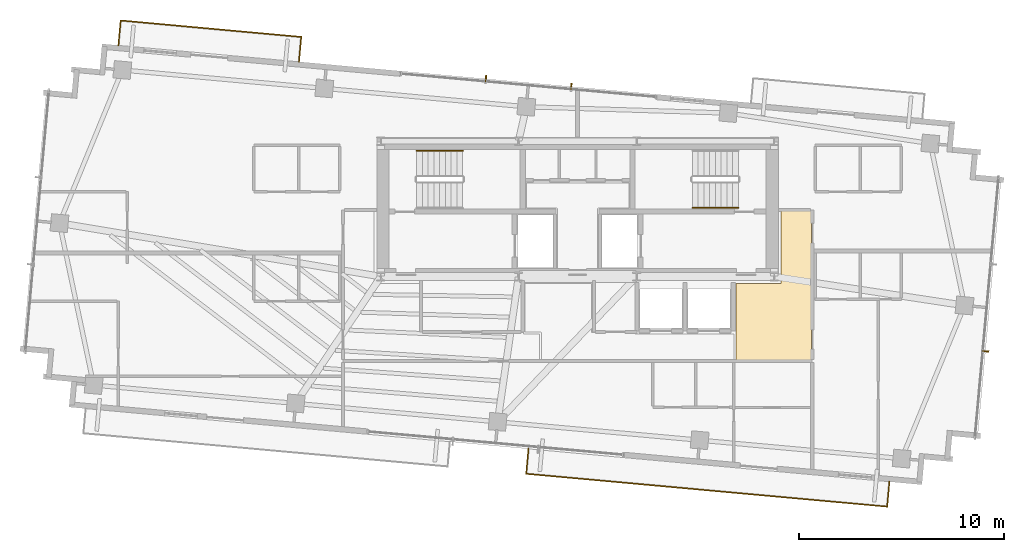
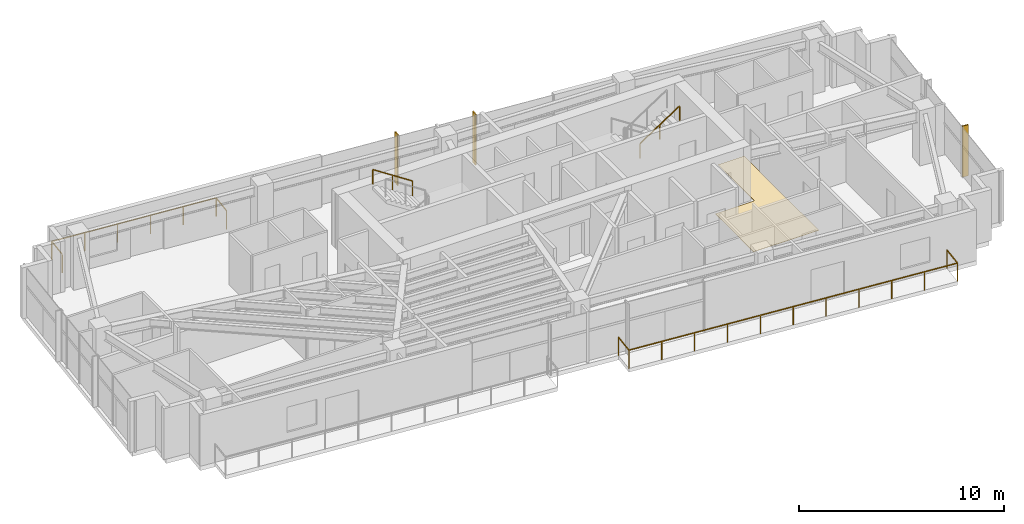
# One storey, part 21 of 22: 4 railings, 3 shading devices, 1 covering.
"""IFC4 building model written with IfcOpenShell, lengths in metres."""

from ifc_helpers import new_model, si_unit, direction, frame, origin, origin_2d, place, context, subcontext, project, spatial, polyline, rectangle, outline, extrude, source, transform, mapped, material, layer, layer_set, type_object, type_shapes, element, save


model = new_model("IFC4")

# Units and contexts
model_context = context("Model", 3, precision=1e-05, world=origin(), true_north=direction((0.0, 1.0)))
body_context = subcontext(model_context, "Body", "Model", "MODEL_VIEW")
ifc_project = project(units=[si_unit("LENGTHUNIT", "METRE"), si_unit("AREAUNIT", "SQUARE_METRE"), si_unit("VOLUMEUNIT", "CUBIC_METRE"), si_unit("PLANEANGLEUNIT", "RADIAN"), si_unit("MASSUNIT", "GRAM", prefix="KILO")], contexts=[model_context])

# Site, building, storey
site_placement = place(None, origin())
site = spatial("IfcSite", under=ifc_project, at=site_placement, CompositionType="ELEMENT")
building_placement = place(site_placement, origin())
building = spatial("IfcBuilding", under=site, at=building_placement, Name="Astriad Promenade Condominiums", CompositionType="ELEMENT")
storey_placement = place(building_placement, frame((0.0, 0.0, 246.300048828125)))
storey = spatial("IfcBuildingStorey", under=building, at=storey_placement, Name="L71", CompositionType="ELEMENT", Elevation=246.300048828125)

# Covering
ifc_material_1 = material(Name="Polished Lakefront Terrazzo Flooring")
ifc_layer = layer(ifc_material_1, 0.02001953125)
ifc_layer_set = layer_set([ifc_layer], Name="Polished Lakefront Terrazzo Flooring")
covering_type = type_object("IfcCoveringType", Name="COV-FLOR-TERRAZZO-20", PredefinedType="FLOORING", material=ifc_layer_set)
covering_placement = place(storey_placement, origin())
element("IfcCovering", 1, at=covering_placement, inside=storey, type_object=covering_type, Name="FLR-L71-COR-2", PredefinedType="FLOORING", context=body_context, shape_type="SweptSolid", body=[
    extrude(outline(polyline([(43.72998046875, 14.62353515625), (43.73095703125, 14.62451171875), (43.7333984375, 14.627685546875), (43.7353515625, 14.631103515625), (43.737060546875, 14.634765625), (43.73828125, 14.638427734375), (43.7392578125, 14.64208984375), (43.73974609375, 14.64599609375), (43.739990234375, 14.64990234375), (43.739990234375, 17.06005859375), (45.89990234375, 17.06005859375), (45.90380859375, 17.060302734375), (45.90771484375, 17.060791015625), (45.91162109375, 17.061767578125), (45.915283203125, 17.06298828125), (45.9189453125, 17.064697265625), (45.922119140625, 17.066650390625), (45.92529296875, 17.069091796875), (45.92822265625, 17.07177734375), (45.930908203125, 17.07470703125), (45.933349609375, 17.077880859375), (45.935302734375, 17.0810546875), (45.93701171875, 17.084716796875), (45.938232421875, 17.08837890625), (45.939208984375, 17.09228515625), (45.939697265625, 17.09619140625), (45.93994140625, 17.10009765625), (45.93994140625, 20.610107421875), (47.409912109375, 20.610107421875), (47.409912109375, 13.320068359375), (43.72998046875, 13.320068359375), (43.72998046875, 14.62353515625)])), origin(), (0.0, 0.0, 1.0), 0.02001953125),
])

# Shading devices
ifc_material_2 = material(Name="Anodised aluminium 6063-T6 Black Fin", Category="aluminium")
shading_device_type = type_object("IfcShadingDeviceType", Name="FIN-BLACK-260", PredefinedType="USERDEFINED", material=ifc_material_2)
shared_shape_1 = source(origin(), body_context, "Body", "SweptSolid", [
    extrude(rectangle(XDim=0.06494140625, YDim=0.320068359375, at=origin_2d()), origin(), (0.0, 0.0, 1.0), 3.0400390625),
])
type_shapes(shading_device_type, [shared_shape_1])
for number, where, z_axis, x_axis, name in (
    (2, (31.526123046875, 27.062744140625, 0.0), (0.0, 0.0, 1.0), (0.995884398616, -0.090632580198, 0.0), "CW-L71-N-FIN-01"),
    (3, (35.68896484375, 26.683837890625, 0.0), (0.0, 0.0, 1.0), (0.995884398616, -0.090632580198, 0.0), "CW-L71-N-FIN-02"),
    (4, (55.920166015625, 13.753662109375, 0.0), (0.0, 0.0, 1.0), (-0.090632580198, -0.995884398616, 0.0), "CW-L71-E-FIN-02"),
):
    element("IfcShadingDevice", number, at=place(storey_placement, frame(where, z_axis=z_axis, x_axis=x_axis)), inside=storey, type_object=shading_device_type, Name=name, ObjectType="FIN", PredefinedType="USERDEFINED", context=body_context, shape_type="MappedRepresentation", body=[
        mapped(shared_shape_1, transform((0.0, 0.0, 0.0), scale=1.0)),
    ])

# Railings
ifc_material_3 = material(Name="Laminated Glass and Stainless Steel Balustrade", Category="steel")
railing_type_1 = type_object("IfcRailingType", Name="GRD-BALC-1120", PredefinedType="BALUSTRADE", material=ifc_material_3)
shared_shape_2 = source(origin(), body_context, "Body", "SweptSolid", [
    extrude(rectangle(XDim=0.048095703125, YDim=0.048095703125, at=origin_2d()), frame((0.0, 0.0, 1.09619140625), z_axis=(-0.090643994769, -0.995883359743, 0.0), x_axis=(0.995883359743, -0.090643994769, 0.0)), (0.0, 0.0, 1.0), 1.22021484375),
    extrude(rectangle(XDim=0.048095703125, YDim=0.048095703125, at=origin_2d()), frame((-0.110595703125, -1.215087890625, 1.09619140625), z_axis=(0.995885283572, -0.090622855645, 0.0), x_axis=(0.090622855645, 0.995885283572, 0.0)), (0.0, 0.0, 1.0), 17.68896484375),
    extrude(rectangle(XDim=0.048095703125, YDim=0.048095703125, at=origin_2d()), frame((17.505615234375, -2.818115234375, 1.09619140625), z_axis=(0.09066206129, 0.995881715186, 0.0), x_axis=(-0.995881715186, 0.09066206129, 0.0)), (0.0, 0.0, 1.0), 1.219970703125),
    extrude(rectangle(XDim=0.0419921875, YDim=0.0419921875, at=origin_2d()), origin(), (0.0, 0.0, 1.0), 1.072021484375),
    extrude(rectangle(XDim=0.0419921875, YDim=0.0419921875, at=origin_2d()), frame((-0.110595703125, -1.215087890625, 0.0)), (0.0, 0.0, 1.0), 1.072021484375),
    extrude(rectangle(XDim=0.0419921875, YDim=0.0419921875, at=origin_2d()), frame((1.651123046875, -1.37548828125, 0.0)), (0.0, 0.0, 1.0), 1.072021484375),
    extrude(rectangle(XDim=0.0419921875, YDim=0.0419921875, at=origin_2d()), frame((3.41259765625, -1.53564453125, 0.0)), (0.0, 0.0, 1.0), 1.072021484375),
    extrude(rectangle(XDim=0.0419921875, YDim=0.0419921875, at=origin_2d()), frame((5.17431640625, -1.696044921875, 0.0)), (0.0, 0.0, 1.0), 1.072021484375),
    extrude(rectangle(XDim=0.0419921875, YDim=0.0419921875, at=origin_2d()), frame((6.935791015625, -1.856201171875, 0.0)), (0.0, 0.0, 1.0), 1.072021484375),
    extrude(rectangle(XDim=0.0419921875, YDim=0.0419921875, at=origin_2d()), frame((8.697509765625, -2.0166015625, 0.0)), (0.0, 0.0, 1.0), 1.072021484375),
    extrude(rectangle(XDim=0.0419921875, YDim=0.0419921875, at=origin_2d()), frame((10.459228515625, -2.177001953125, 0.0)), (0.0, 0.0, 1.0), 1.072021484375),
    extrude(rectangle(XDim=0.0419921875, YDim=0.0419921875, at=origin_2d()), frame((12.220703125, -2.337158203125, 0.0)), (0.0, 0.0, 1.0), 1.072021484375),
    extrude(rectangle(XDim=0.0419921875, YDim=0.0419921875, at=origin_2d()), frame((13.982421875, -2.49755859375, 0.0)), (0.0, 0.0, 1.0), 1.072021484375),
    extrude(rectangle(XDim=0.0419921875, YDim=0.0419921875, at=origin_2d()), frame((15.743896484375, -2.65771484375, 0.0)), (0.0, 0.0, 1.0), 1.072021484375),
    extrude(rectangle(XDim=0.0419921875, YDim=0.0419921875, at=origin_2d()), frame((17.505615234375, -2.818115234375, 0.0)), (0.0, 0.0, 1.0), 1.072021484375),
    extrude(rectangle(XDim=0.0419921875, YDim=0.0419921875, at=origin_2d()), frame((17.6162109375, -1.603271484375, 0.0)), (0.0, 0.0, 1.0), 1.072021484375),
])
railing_1_placement = place(storey_placement, frame((33.604736328125, 8.989990234375, 0.0)))
element("IfcRailing", 5, at=railing_1_placement, inside=storey, type_object=railing_type_1, Name="GRD-BALC-L71-SE", PredefinedType="BALUSTRADE", context=body_context, shape_type="MappedRepresentation", body=[
    mapped(shared_shape_2, transform((0.0, 0.0, 0.0), scale=1.0)),
])
shared_shape_3 = source(origin(), body_context, "Body", "SweptSolid", [
    extrude(rectangle(XDim=0.048095703125, YDim=0.048095703125, at=origin_2d()), frame((0.0, 0.0, 1.09619140625), z_axis=(0.09066206129, 0.995881715186, 0.0), x_axis=(-0.995881715186, 0.09066206129, 0.0)), (0.0, 0.0, 1.0), 1.219970703125),
    extrude(rectangle(XDim=0.048095703125, YDim=0.048095703125, at=origin_2d()), frame((0.110595703125, 1.21484375, 1.09619140625), z_axis=(-0.995884382026, 0.090632762493, 0.0), x_axis=(-0.090632762493, -0.995884382026, 0.0)), (0.0, 0.0, 1.0), 8.848876953125),
    extrude(rectangle(XDim=0.048095703125, YDim=0.048095703125, at=origin_2d()), frame((-8.701904296875, 2.016845703125, 1.09619140625), z_axis=(-0.09066206129, -0.995881715186, 0.0), x_axis=(0.995881715186, -0.09066206129, 0.0)), (0.0, 0.0, 1.0), 1.219970703125),
    extrude(rectangle(XDim=0.0419921875, YDim=0.0419921875, at=origin_2d()), origin(), (0.0, 0.0, 1.0), 1.072021484375),
    extrude(rectangle(XDim=0.0419921875, YDim=0.0419921875, at=origin_2d()), frame((0.110595703125, 1.21484375, 0.0)), (0.0, 0.0, 1.0), 1.072021484375),
    extrude(rectangle(XDim=0.0419921875, YDim=0.0419921875, at=origin_2d()), frame((-1.65185546875, 1.375244140625, 0.0)), (0.0, 0.0, 1.0), 1.072021484375),
    extrude(rectangle(XDim=0.0419921875, YDim=0.0419921875, at=origin_2d()), frame((-3.414306640625, 1.53564453125, 0.0)), (0.0, 0.0, 1.0), 1.072021484375),
    extrude(rectangle(XDim=0.0419921875, YDim=0.0419921875, at=origin_2d()), frame((-5.177001953125, 1.696044921875, 0.0)), (0.0, 0.0, 1.0), 1.072021484375),
    extrude(rectangle(XDim=0.0419921875, YDim=0.0419921875, at=origin_2d()), frame((-6.939453125, 1.8564453125, 0.0)), (0.0, 0.0, 1.0), 1.072021484375),
    extrude(rectangle(XDim=0.0419921875, YDim=0.0419921875, at=origin_2d()), frame((-8.701904296875, 2.016845703125, 0.0)), (0.0, 0.0, 1.0), 1.072021484375),
    extrude(rectangle(XDim=0.0419921875, YDim=0.0419921875, at=origin_2d()), frame((-8.8125, 0.802001953125, 0.0)), (0.0, 0.0, 1.0), 1.072021484375),
])
type_shapes(railing_type_1, [shared_shape_2, shared_shape_3])
railing_2_placement = place(storey_placement, frame((22.40283203125, 27.883056640625, 0.0)))
element("IfcRailing", 6, at=railing_2_placement, inside=storey, type_object=railing_type_1, Name="GRD-BALC-L71-NW", PredefinedType="BALUSTRADE", context=body_context, shape_type="MappedRepresentation", body=[
    mapped(shared_shape_3, transform((0.0, 0.0, 0.0), scale=1.0)),
])
ifc_material_4 = material(Name="Brushed Stainless Steel Handrail", Category="steel")
railing_type_2 = type_object("IfcRailingType", Name="HRL-STAIR-920", PredefinedType="HANDRAIL", material=ifc_material_4)
shared_shape_4 = source(origin(), body_context, "Body", "SweptSolid", [
    extrude(rectangle(XDim=0.048095703125, YDim=0.048095703125, at=origin_2d()), frame((0.0, 0.0, 0.8759765625), z_axis=(0.836595146698, 0.0, 0.547821650285), x_axis=(0.0, 1.0, 0.0)), (0.0, 0.0, 1.0), 2.677490234375),
    extrude(rectangle(XDim=0.0419921875, YDim=0.0419921875, at=origin_2d()), origin(), (0.0, 0.0, 1.0), 0.851806640625),
    extrude(rectangle(XDim=0.0419921875, YDim=0.0419921875, at=origin_2d()), frame((1.1201171875, 0.0, 0.7333984375)), (0.0, 0.0, 1.0), 0.851806640625),
    extrude(rectangle(XDim=0.0419921875, YDim=0.0419921875, at=origin_2d()), frame((2.239990234375, 0.0, 1.466796875)), (0.0, 0.0, 1.0), 0.851806640625),
])
railing_3_placement = place(storey_placement, frame((41.610107421875, 20.75, 1.833251953125)))
element("IfcRailing", 7, at=railing_3_placement, inside=storey, type_object=railing_type_2, Name="L71 ST-2 stair handrail 2", PredefinedType="HANDRAIL", context=body_context, shape_type="MappedRepresentation", body=[
    mapped(shared_shape_4, transform((0.0, 0.0, 0.0), scale=1.0)),
])
shared_shape_5 = source(origin(), body_context, "Body", "SweptSolid", [
    extrude(rectangle(XDim=0.048095703125, YDim=0.048095703125, at=origin_2d()), frame((0.0, 0.0, 0.8759765625), z_axis=(-0.836595146698, 0.0, 0.547821650285), x_axis=(0.0, -1.0, 0.0)), (0.0, 0.0, 1.0), 2.677490234375),
    extrude(rectangle(XDim=0.0419921875, YDim=0.0419921875, at=origin_2d()), origin(), (0.0, 0.0, 1.0), 0.851806640625),
    extrude(rectangle(XDim=0.0419921875, YDim=0.0419921875, at=origin_2d()), frame((-1.1201171875, 0.0, 0.7333984375)), (0.0, 0.0, 1.0), 0.851806640625),
    extrude(rectangle(XDim=0.0419921875, YDim=0.0419921875, at=origin_2d()), frame((-2.239990234375, 0.0, 1.466796875)), (0.0, 0.0, 1.0), 0.851806640625),
])
type_shapes(railing_type_2, [shared_shape_4, shared_shape_5])
railing_4_placement = place(storey_placement, frame((30.389892578125, 23.550048828125, 1.833251953125)))
element("IfcRailing", 8, at=railing_4_placement, inside=storey, type_object=railing_type_2, Name="L71 ST-1 stair handrail 2", PredefinedType="HANDRAIL", context=body_context, shape_type="MappedRepresentation", body=[
    mapped(shared_shape_5, transform((0.0, 0.0, 0.0), scale=1.0)),
])

save(model, "model.ifc")
